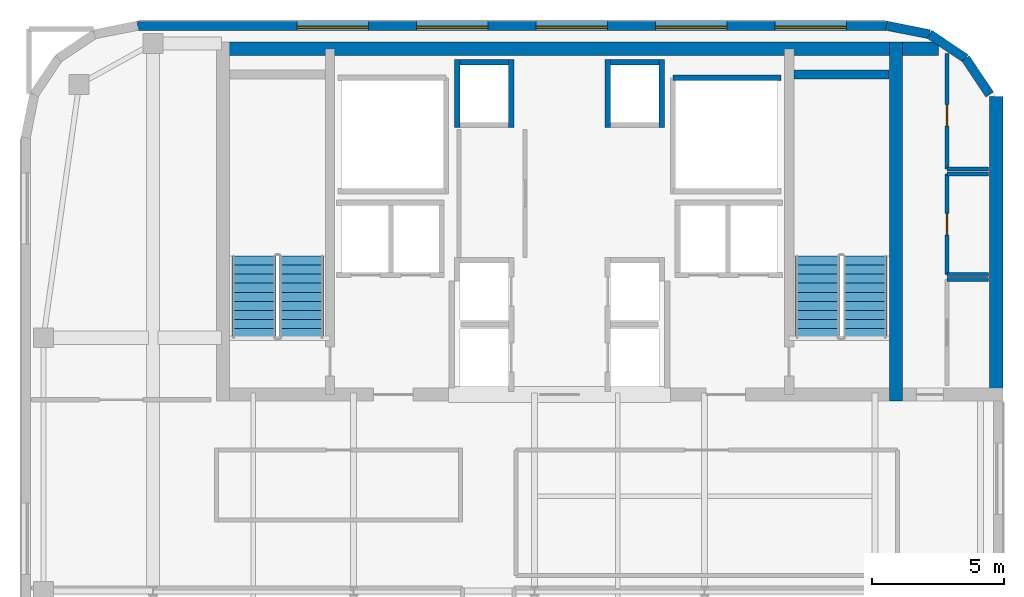
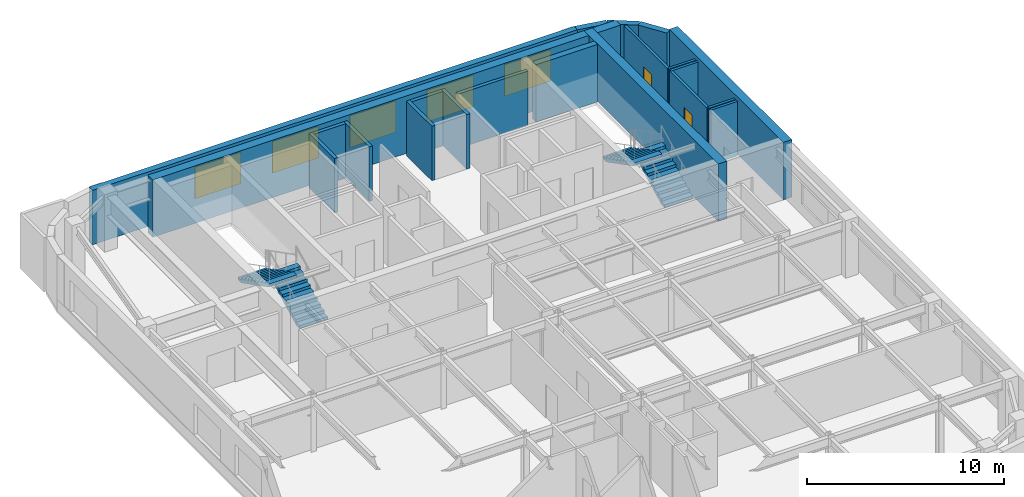
# One storey, part 6 of 10: 22 walls, 5 windows, 4 stair flights, 2 doors, 7 openings, 2 elements without a shape of their own.
"""IFC4 building model written with IfcOpenShell, lengths in metres."""

import ifcopenshell
import ifcopenshell.guid

model = None  # the IFC model being written
_history = None  # IfcOwnerHistory: only IFC2X3 demands one
_inside = {}  # id of a spatial element -> (the spatial element, [elements in it])
_under = {}  # id of a project, library or spatial element -> (it, [spatial elements below it])
_declared = {}  # id of a project -> (the project, [libraries it declares])
_typed = {}  # id of a type object -> (the type object, [elements of that type])
_made_of = {}  # id of a material, layer set ... -> (it, [elements and type objects made of it])


def new_model(schema):
    """Start an empty IFC model of exactly this schema.

    Asked for "IFC4X3", IfcOpenShell would pick the latest addendum, in which some entities
    have other attributes; the version numbers below select the first issue.
    IFC2X3 requires an IfcOwnerHistory on every rooted entity: one is made here for all.
    """
    global model, _history
    if schema == "IFC4X3":
        model = ifcopenshell.file(schema_version=(4, 3, 0, 0))
    else:
        model = ifcopenshell.file(schema=schema)
    _inside.clear()
    _under.clear()
    _declared.clear()
    _typed.clear()
    _made_of.clear()
    _history = None
    if model.schema == "IFC2X3":
        org = make("IfcOrganization", Name="unknown")
        user = make(
            "IfcPersonAndOrganization",
            ThePerson=make("IfcPerson", FamilyName="unknown"),
            TheOrganization=org,
        )
        app = make(
            "IfcApplication",
            ApplicationDeveloper=org,
            Version="unknown",
            ApplicationFullName="unknown",
            ApplicationIdentifier="unknown",
        )
        _history = make(
            "IfcOwnerHistory",
            OwningUser=user,
            OwningApplication=app,
            ChangeAction="ADDED",
            CreationDate=0,
        )
    return model


def make(cls, **values):
    """One entity of the class cls with the attributes given. An attribute that is None is left unset."""
    return model.create_entity(
        cls, **{name: value for name, value in values.items() if value is not None}
    )


def rooted(cls, **values):
    """An entity with a GlobalId (a new one), such as an element, a storey or a relation."""
    return make(cls, GlobalId=ifcopenshell.guid.new(), OwnerHistory=_history, **values)


def si_unit(unit_type, name, prefix=None):
    """IfcSIUnit, for example si_unit("LENGTHUNIT", "METRE", prefix="MILLI")."""
    return make("IfcSIUnit", UnitType=unit_type, Prefix=prefix, Name=name)


def assignment(units):
    """IfcUnitAssignment: the units of a project."""
    return None if units is None else make("IfcUnitAssignment", Units=units)


def point(xyz):
    """IfcCartesianPoint."""
    return None if xyz is None else make("IfcCartesianPoint", Coordinates=xyz)


def direction(xyz):
    """IfcDirection."""
    return None if xyz is None else make("IfcDirection", DirectionRatios=xyz)


def frame(location, z_axis=None, x_axis=None):
    """IfcAxis2Placement3D, a coordinate frame: its origin and axes. An axis left out is left unset."""
    return make(
        "IfcAxis2Placement3D",
        Location=point(location),
        Axis=direction(z_axis),
        RefDirection=direction(x_axis),
    )


def frame_2d(location, x_axis=None):
    """IfcAxis2Placement2D, a coordinate frame in the plane: its origin and x axis."""
    return make(
        "IfcAxis2Placement2D", Location=point(location), RefDirection=direction(x_axis)
    )


def origin():
    """The frame at (0, 0, 0) with its axes left unset."""
    return frame((0.0, 0.0, 0.0))


def place(relative_to, where):
    """IfcLocalPlacement: puts the frame where relative to a parent placement (None: the world)."""
    return make(
        "IfcLocalPlacement", PlacementRelTo=relative_to, RelativePlacement=where
    )


def context(
    kind, dimensions, precision=None, world=None, true_north=None, identifier=None
):
    """IfcGeometricRepresentationContext, for example the 3D "Model" context."""
    return make(
        "IfcGeometricRepresentationContext",
        ContextIdentifier=identifier,
        ContextType=kind,
        CoordinateSpaceDimension=dimensions,
        Precision=precision,
        WorldCoordinateSystem=world,
        TrueNorth=true_north,
    )


def subcontext(parent, identifier, kind, view, scale=None):
    """IfcGeometricRepresentationSubContext, for example "Body" below "Model"."""
    return make(
        "IfcGeometricRepresentationSubContext",
        ContextIdentifier=identifier,
        ContextType=kind,
        ParentContext=parent,
        TargetScale=scale,
        TargetView=view,
    )


def project(units=None, contexts=None):
    """IfcProject with its units and contexts."""
    return rooted(
        "IfcProject",
        Name="project",
        RepresentationContexts=contexts,
        UnitsInContext=assignment(units),
    )


def spatial(cls, under=None, at=None, **own):
    """A site, building, storey or space (cls), placed at a placement, below another one or the project."""
    s = rooted(cls, ObjectPlacement=at, **own)
    if under is not None:
        _under.setdefault(under.id(), (under, []))[1].append(s)
    return s


def polyline(points):
    """IfcPolyline through the points."""
    return make("IfcPolyline", Points=[point(p) for p in points])


def profile(cls, at=None, kind="AREA", **sizes):
    """A parametric profile (cls). Its sizes go by their IFC names, for example OverallWidth=200.0."""
    return make(cls, ProfileType=kind, Position=at, **sizes)


def rectangle(**sizes):
    """IfcRectangleProfileDef."""
    return profile("IfcRectangleProfileDef", **sizes)


def outline(outer, holes=None, kind="AREA"):
    """IfcArbitraryClosedProfileDef: a profile drawn as a closed curve; with holes, ...WithVoids."""
    if holes is None:
        return make("IfcArbitraryClosedProfileDef", ProfileType=kind, OuterCurve=outer)
    return make(
        "IfcArbitraryProfileDefWithVoids",
        ProfileType=kind,
        OuterCurve=outer,
        InnerCurves=holes,
    )


def extrude(swept, where, along, depth):
    """IfcExtrudedAreaSolid: the profile swept, set in the frame where, extruded along a direction by depth."""
    return make(
        "IfcExtrudedAreaSolid",
        SweptArea=swept,
        Position=where,
        ExtrudedDirection=direction(along),
        Depth=depth,
    )


def shape(context_of_items, identifier, shape_type, items):
    """IfcShapeRepresentation: the items that make up one representation, for example the "Body"."""
    return make(
        "IfcShapeRepresentation",
        ContextOfItems=context_of_items,
        RepresentationIdentifier=identifier,
        RepresentationType=shape_type,
        Items=items,
    )


def source(mapping_origin, context_of_items, identifier, shape_type, items):
    """IfcRepresentationMap: a shape defined once, which mapped items show again and again."""
    return make(
        "IfcRepresentationMap",
        MappingOrigin=mapping_origin,
        MappedRepresentation=shape(context_of_items, identifier, shape_type, items),
    )


def transform(
    local_origin,
    x_axis=None,
    y_axis=None,
    z_axis=None,
    scale=None,
    scale2=None,
    scale3=None,
    uniform=True,
):
    """IfcCartesianTransformationOperator3D, or its non-uniform kind. x_axis, y_axis, z_axis: its Axis1, 2, 3."""
    if uniform:
        return make(
            "IfcCartesianTransformationOperator3D",
            Axis1=direction(x_axis),
            Axis2=direction(y_axis),
            LocalOrigin=point(local_origin),
            Scale=scale,
            Axis3=direction(z_axis),
        )
    return make(
        "IfcCartesianTransformationOperator3DnonUniform",
        Axis1=direction(x_axis),
        Axis2=direction(y_axis),
        LocalOrigin=point(local_origin),
        Scale=scale,
        Axis3=direction(z_axis),
        Scale2=scale2,
        Scale3=scale3,
    )


def mapped(mapping_source, mapping_target):
    """IfcMappedItem: shows the shape of a source again, moved by a transform."""
    return make(
        "IfcMappedItem", MappingSource=mapping_source, MappingTarget=mapping_target
    )


def material(Name=None, Category=None):
    """IfcMaterial."""
    return make("IfcMaterial", Name=Name, Category=Category)


def layer(
    of_material, thickness, ventilated=None, Name=None, Category=None, Priority=None
):
    """IfcMaterialLayer: one layer of a wall or slab, of a material (None: an air gap)."""
    return make(
        "IfcMaterialLayer",
        Material=of_material,
        LayerThickness=thickness,
        IsVentilated=ventilated,
        Name=Name,
        Category=Category,
        Priority=Priority,
    )


def layer_set(layers, Name=None):
    """IfcMaterialLayerSet."""
    return make("IfcMaterialLayerSet", MaterialLayers=layers, LayerSetName=Name)


def made_of(thing, what):
    """Note that an element or type object is made of a material, layer set ...; save() writes the relation."""
    if what is not None:
        _made_of.setdefault(what.id(), (what, []))[1].append(thing)
    return thing


def type_object(cls, material=None, **own):
    """A type object (cls), such as IfcWallType, which elements share."""
    return made_of(rooted(cls, **own), material)


def type_shapes(of_type, sources):
    """Give a type object the sources (RepresentationMaps) that its elements show as mapped items."""
    of_type.RepresentationMaps = sources


def element(
    cls,
    number,
    at=None,
    inside=None,
    cuts=None,
    type_object=None,
    material=None,
    context=None,
    identifier="Body",
    shape_type=None,
    held_by="IfcProductDefinitionShape",
    body=None,
    shapes=None,
    **own,
):
    """One element of the class cls, such as IfcWall. Its Tag is "e" and its number.

    at: its placement. inside: the storey or other place that contains it. cuts: it is an
    opening in that element (IfcRelVoidsElement). A single representation is given by context,
    identifier, shape_type and body (its items); several are given by shapes. held_by: the class
    of the entity that holds the representations. save() writes the other relations.
    """
    e = rooted(cls, Tag="e%d" % number, ObjectPlacement=at, **own)
    if body is not None:
        shapes = [shape(context, identifier, shape_type, body)]
    if shapes is not None:
        e.Representation = make(held_by, Representations=shapes)
    if inside is not None:
        _inside.setdefault(inside.id(), (inside, []))[1].append(e)
    if cuts is not None:
        rooted(
            "IfcRelVoidsElement", RelatingBuildingElement=cuts, RelatedOpeningElement=e
        )
    if type_object is not None:
        _typed.setdefault(type_object.id(), (type_object, []))[1].append(e)
    return made_of(e, material)


def fill(opening, filler):
    """IfcRelFillsElement: the door or window that sits in an opening."""
    return rooted(
        "IfcRelFillsElement",
        RelatingOpeningElement=opening,
        RelatedBuildingElement=filler,
    )


def aggregate(whole, parts):
    """IfcRelAggregates: a whole, such as a stair, and the parts it consists of."""
    return rooted("IfcRelAggregates", RelatingObject=whole, RelatedObjects=parts)


def save(model, path):
    """Write the relations noted so far, then the file.

    IfcRelAggregates (storeys below a building ...), IfcRelContainedInSpatialStructure (elements
    in a storey), IfcRelDefinesByType, IfcRelAssociatesMaterial and IfcRelDeclares: one each for
    every whole, place, type object, material and project.
    """
    for whole, parts in _under.values():
        aggregate(whole, parts)
    for where, things in _inside.values():
        rooted(
            "IfcRelContainedInSpatialStructure",
            RelatedElements=things,
            RelatingStructure=where,
        )
    for kind, things in _typed.values():
        rooted("IfcRelDefinesByType", RelatedObjects=things, RelatingType=kind)
    for what, things in _made_of.values():
        rooted("IfcRelAssociatesMaterial", RelatedObjects=things, RelatingMaterial=what)
    for by, libraries in _declared.values():
        rooted("IfcRelDeclares", RelatingContext=by, RelatedDefinitions=libraries)
    model.write(path)


model = new_model("IFC4")

# Units and contexts
model_context = context("Model", 3, precision=1e-05, world=origin(), true_north=direction((0.0, 1.0)))
body_context = subcontext(model_context, "Body", "Model", "MODEL_VIEW")
ifc_project = project(units=[si_unit("LENGTHUNIT", "METRE"), si_unit("AREAUNIT", "SQUARE_METRE"), si_unit("VOLUMEUNIT", "CUBIC_METRE"), si_unit("PLANEANGLEUNIT", "RADIAN"), si_unit("MASSUNIT", "GRAM", prefix="KILO")], contexts=[model_context])

# Site, building, storey
site_placement = place(None, origin())
site = spatial("IfcSite", under=ifc_project, at=site_placement, CompositionType="ELEMENT")
building_placement = place(site_placement, origin())
building = spatial("IfcBuilding", under=site, at=building_placement, Name="Tolvann Quenvar Hotel", CompositionType="ELEMENT")
storey_placement = place(building_placement, frame((0.0, 0.0, 220.35009765625)))
storey = spatial("IfcBuildingStorey", under=building, at=storey_placement, Name="L58", CompositionType="ELEMENT", Elevation=220.35009765625)

# Walls
ifc_material_1 = material(Name="Concrete N50 (50 MPa)", Category="concrete")
ifc_layer_1 = layer(ifc_material_1, 0.5)
ifc_layer_set_1 = layer_set([ifc_layer_1], Name="Concrete N50 (50 MPa)")
wall_type_1 = type_object("IfcWallType", Name="WALL_CORE_500", PredefinedType="SHEAR", material=ifc_layer_set_1)
wall_1_placement = place(storey_placement, frame((10.0, 44.949951171875, 0.0), z_axis=(0.0, 0.0, 1.0), x_axis=(1.0, 0.0, 0.0)))
element("IfcWall", 1, at=wall_1_placement, inside=storey, type_object=wall_type_1, Name="Rear Core N Shear Wall (L58)", PredefinedType="SHEAR", context=body_context, shape_type="SweptSolid", body=[
    extrude(rectangle(XDim=26.0, YDim=0.5, at=frame_2d((13.0, 0.0))), origin(), (0.0, 0.0, 1.0), 3.5498046875),
])
wall_2_placement = place(storey_placement, frame((35.75, 31.60009765625, 0.0), z_axis=(0.0, 0.0, 1.0), x_axis=(0.0, 1.0, 0.0)))
element("IfcWall", 2, at=wall_2_placement, inside=storey, type_object=wall_type_1, Name="Rear Core E Shear Wall (L58)", PredefinedType="SHEAR", context=body_context, shape_type="SweptSolid", body=[
    extrude(rectangle(XDim=13.599853515625, YDim=0.5, at=frame_2d((6.7998046875, 0.0))), origin(), (0.0, 0.0, 1.0), 3.5498046875),
])
wall_3_placement = place(storey_placement, frame((36.0, 44.949951171875, 0.0), z_axis=(0.0, 0.0, 1.0), x_axis=(1.0, 0.0, 0.0)))
element("IfcWall", 3, at=wall_3_placement, inside=storey, type_object=wall_type_1, Name="Core East Annex Shear Wall ANN-N (L58)", PredefinedType="SHEAR", context=body_context, shape_type="SweptSolid", body=[
    extrude(rectangle(XDim=1.35009765625, YDim=0.5, at=frame_2d((0.675048828125, 0.0))), origin(), (0.0, 0.0, 1.0), 3.5498046875),
])
wall_4_placement = place(storey_placement, frame((39.550048828125, 31.60009765625, 0.0), z_axis=(0.0, 0.0, 1.0), x_axis=(0.0, 1.0, 0.0)))
element("IfcWall", 4, at=wall_4_placement, inside=storey, type_object=wall_type_1, Name="Core East Annex Shear Wall ANN-E (L58)", PredefinedType="SHEAR", context=body_context, shape_type="SweptSolid", body=[
    extrude(rectangle(XDim=11.5498046875, YDim=0.5, at=frame_2d((5.77490234375, 0.0))), origin(), (0.0, 0.0, 1.0), 3.5498046875),
])
ifc_material_2 = material(Name="Concrete S65 (65 MPa)", Category="concrete")
ifc_layer_2 = layer(ifc_material_2, 0.35009765625)
ifc_layer_set_2 = layer_set([ifc_layer_2], Name="Concrete S65 (65 MPa)")
wall_type_2 = type_object("IfcWallType", Name="WALL_CORE_INT_350", PredefinedType="SHEAR", material=ifc_layer_set_2)
wall_5_placement = place(storey_placement, frame((31.8798828125, 43.97509765625, 0.0), z_axis=(0.0, 0.0, 1.0), x_axis=(1.0, 0.0, 0.0)))
element("IfcWall", 5, at=wall_5_placement, inside=storey, type_object=wall_type_2, Name="Core Stair North Closing Shear Wall STC2-N (L58)", PredefinedType="SHEAR", context=body_context, shape_type="SweptSolid", body=[
    extrude(rectangle(XDim=3.60009765625, YDim=0.35009765625, at=frame_2d((1.800048828125, 0.0))), origin(), (0.0, 0.0, 1.0), 3.5498046875),
])
ifc_material_3 = material(Name="Kiln-fired red and buff architectural clay brickwork and terracotta masonry", Category="masonry")
ifc_layer_3 = layer(ifc_material_3, 0.35009765625)
ifc_layer_set_3 = layer_set([ifc_layer_3], Name="Kiln-fired red and buff architectural clay brickwork and terracotta masonry")
wall_type_3 = type_object("IfcWallType", Name="WALL_EXT_BRICK_350", PredefinedType="SOLIDWALL", material=ifc_layer_set_3)
for number, where, z_axis, x_axis, name in (
    (6, (39.30029296875, 43.215576171875, 0.0), (0.0, 0.0, 1.0), (-0.555623290322, 0.831434158098, 0.0), "Exterior Chicago Brick Wall L58-E11"),
    (7, (38.385009765625, 44.585205078125, 0.0), (0.0, 0.0, 1.0), (-0.831502623162, 0.555520825599, 0.0), "Exterior Chicago Brick Wall L58-E12"),
):
    element("IfcWall", number, at=place(storey_placement, frame(where, z_axis=z_axis, x_axis=x_axis)), inside=storey, type_object=wall_type_3, Name=name, PredefinedType="SOLIDWALL", context=body_context, shape_type="SweptSolid", body=[
        extrude(rectangle(XDim=1.647216796875, YDim=0.35009765625, at=frame_2d((0.82373046875, 0.0))), origin(), (0.0, 0.0, 1.0), 3.369873046875),
    ])
wall_6_placement = place(storey_placement, frame((37.015380859375, 45.500244140625, 0.0), z_axis=(0.0, 0.0, 1.0), x_axis=(-0.980788844421, 0.195072403631, 0.0)))
element("IfcWall", 8, at=wall_6_placement, inside=storey, type_object=wall_type_3, Name="Exterior Chicago Brick Wall L58-E13", PredefinedType="SOLIDWALL", context=body_context, shape_type="SweptSolid", body=[
    extrude(rectangle(XDim=1.66455078125, YDim=0.35009765625, at=frame_2d((0.832275390625, 0.0))), origin(), (0.0, 0.0, 1.0), 3.369873046875),
])

# Wall, openings, windows
wall_7_placement = place(storey_placement, frame((35.3828125, 45.824951171875, 0.0), z_axis=(0.0, 0.0, 1.0), x_axis=(-1.0, 0.0, 0.0)))
wall_7 = element("IfcWall", 9, at=wall_7_placement, inside=storey, type_object=wall_type_3, Name="Exterior Chicago Brick Wall L58-E14", PredefinedType="SOLIDWALL", context=body_context, shape_type="SweptSolid", body=[
    extrude(rectangle(XDim=28.36572265625, YDim=0.35009765625, at=frame_2d((14.182861328125, 0.0))), origin(), (0.0, 0.0, 1.0), 3.369873046875),
])
opening_1_placement = place(wall_7_placement, frame((1.513916015625, 0.0, 0.679931640625)))
opening_1 = element("IfcOpeningElement", 10, at=opening_1_placement, cuts=wall_7, Name="Opening W-04", PredefinedType="OPENING", context=body_context, shape_type="SweptSolid", body=[
    extrude(rectangle(XDim=2.699951171875, YDim=1.949951171875, at=frame_2d((1.35009765625, 0.97509765625))), frame((0.0, 0.18505859375, 0.0), z_axis=(0.0, -1.0, 0.0), x_axis=(1.0, 0.0, 0.0)), (0.0, 0.0, 1.0), 0.3701171875),
])
opening_2_placement = place(wall_7_placement, frame((6.041015625, 0.0, 0.679931640625)))
opening_2 = element("IfcOpeningElement", 11, at=opening_2_placement, cuts=wall_7, Name="Opening W-04", PredefinedType="OPENING", context=body_context, shape_type="SweptSolid", body=[
    extrude(rectangle(XDim=2.699951171875, YDim=1.949951171875, at=frame_2d((1.35009765625, 0.97509765625))), frame((0.0, 0.18505859375, 0.0), z_axis=(0.0, -1.0, 0.0), x_axis=(1.0, 0.0, 0.0)), (0.0, 0.0, 1.0), 0.3701171875),
])
opening_3_placement = place(wall_7_placement, frame((10.569091796875, 0.0, 0.679931640625)))
opening_3 = element("IfcOpeningElement", 12, at=opening_3_placement, cuts=wall_7, Name="Opening W-04", PredefinedType="OPENING", context=body_context, shape_type="SweptSolid", body=[
    extrude(rectangle(XDim=2.699951171875, YDim=1.949951171875, at=frame_2d((1.35009765625, 0.97509765625))), frame((0.0, 0.18505859375, 0.0), z_axis=(0.0, -1.0, 0.0), x_axis=(1.0, 0.0, 0.0)), (0.0, 0.0, 1.0), 0.3701171875),
])
opening_4_placement = place(wall_7_placement, frame((15.096923828125, 0.0, 0.679931640625)))
opening_4 = element("IfcOpeningElement", 13, at=opening_4_placement, cuts=wall_7, Name="Opening W-04", PredefinedType="OPENING", context=body_context, shape_type="SweptSolid", body=[
    extrude(rectangle(XDim=2.699951171875, YDim=1.949951171875, at=frame_2d((1.35009765625, 0.97509765625))), frame((0.0, 0.18505859375, 0.0), z_axis=(0.0, -1.0, 0.0), x_axis=(1.0, 0.0, 0.0)), (0.0, 0.0, 1.0), 0.3701171875),
])
opening_5_placement = place(wall_7_placement, frame((19.6240234375, 0.0, 0.679931640625)))
opening_5 = element("IfcOpeningElement", 14, at=opening_5_placement, cuts=wall_7, Name="Opening W-04", PredefinedType="OPENING", context=body_context, shape_type="SweptSolid", body=[
    extrude(rectangle(XDim=2.699951171875, YDim=1.949951171875, at=frame_2d((1.35009765625, 0.97509765625))), frame((0.0, 0.18505859375, 0.0), z_axis=(0.0, -1.0, 0.0), x_axis=(1.0, 0.0, 0.0)), (0.0, 0.0, 1.0), 0.3701171875),
])
ifc_material_4 = material(Name="Thermally broken bronze-anodised aluminium frame with double low-E glazing", Category="aluminium")
window_type = type_object("IfcWindowType", Name="WIN_STE_2700x2150", PartitioningType="TRIPLE_PANEL_HORIZONTAL", PredefinedType="WINDOW", material=ifc_material_4)
shared_shape_1 = source(origin(), body_context, "Body", "SweptSolid", [
    extrude(rectangle(XDim=2.699951171875, YDim=1.949951171875, at=frame_2d((1.35009765625, 0.97509765625))), frame((0.0, 0.090087890625, 0.0), z_axis=(0.0, -1.0, 0.0), x_axis=(1.0, 0.0, 0.0)), (0.0, 0.0, 1.0), 0.06005859375),
])
type_shapes(window_type, [shared_shape_1])
window_1_placement = place(opening_1_placement, origin())
window_1 = element("IfcWindow", 15, at=window_1_placement, inside=storey, type_object=window_type, Name="Chicago Window W-04 (EW-L58-E14-W01)", OverallHeight=1.949951171875, OverallWidth=2.699951171875, PartitioningType="TRIPLE_PANEL_HORIZONTAL", PredefinedType="WINDOW", context=body_context, shape_type="MappedRepresentation", body=[
    mapped(shared_shape_1, transform((0.0, 0.0, 0.0), x_axis=(1.0, 0.0, 0.0), y_axis=(0.0, 1.0, 0.0), z_axis=(0.0, 0.0, 1.0), scale=1.0)),
])
fill(opening_1, window_1)
window_2_placement = place(opening_2_placement, origin())
window_2 = element("IfcWindow", 16, at=window_2_placement, inside=storey, type_object=window_type, Name="Chicago Window W-04 (EW-L58-E14-W02)", OverallHeight=1.949951171875, OverallWidth=2.699951171875, PartitioningType="TRIPLE_PANEL_HORIZONTAL", PredefinedType="WINDOW", context=body_context, shape_type="MappedRepresentation", body=[
    mapped(shared_shape_1, transform((0.0, 0.0, 0.0), x_axis=(1.0, 0.0, 0.0), y_axis=(0.0, 1.0, 0.0), z_axis=(0.0, 0.0, 1.0), scale=1.0)),
])
fill(opening_2, window_2)
window_3_placement = place(opening_3_placement, origin())
window_3 = element("IfcWindow", 17, at=window_3_placement, inside=storey, type_object=window_type, Name="Chicago Window W-04 (EW-L58-E14-W03)", OverallHeight=1.949951171875, OverallWidth=2.699951171875, PartitioningType="TRIPLE_PANEL_HORIZONTAL", PredefinedType="WINDOW", context=body_context, shape_type="MappedRepresentation", body=[
    mapped(shared_shape_1, transform((0.0, 0.0, 0.0), x_axis=(1.0, 0.0, 0.0), y_axis=(0.0, 1.0, 0.0), z_axis=(0.0, 0.0, 1.0), scale=1.0)),
])
fill(opening_3, window_3)
window_4_placement = place(opening_4_placement, origin())
window_4 = element("IfcWindow", 18, at=window_4_placement, inside=storey, type_object=window_type, Name="Chicago Window W-04 (EW-L58-E14-W04)", OverallHeight=1.949951171875, OverallWidth=2.699951171875, PartitioningType="TRIPLE_PANEL_HORIZONTAL", PredefinedType="WINDOW", context=body_context, shape_type="MappedRepresentation", body=[
    mapped(shared_shape_1, transform((0.0, 0.0, 0.0), x_axis=(1.0, 0.0, 0.0), y_axis=(0.0, 1.0, 0.0), z_axis=(0.0, 0.0, 1.0), scale=1.0)),
])
fill(opening_4, window_4)
window_5_placement = place(opening_5_placement, origin())
window_5 = element("IfcWindow", 19, at=window_5_placement, inside=storey, type_object=window_type, Name="Chicago Window W-04 (EW-L58-E14-W05)", OverallHeight=1.949951171875, OverallWidth=2.699951171875, PartitioningType="TRIPLE_PANEL_HORIZONTAL", PredefinedType="WINDOW", context=body_context, shape_type="MappedRepresentation", body=[
    mapped(shared_shape_1, transform((0.0, 0.0, 0.0), x_axis=(1.0, 0.0, 0.0), y_axis=(0.0, 1.0, 0.0), z_axis=(0.0, 0.0, 1.0), scale=1.0)),
])
fill(opening_5, window_5)

# Walls
ifc_material_5 = material(Name="Acoustic twin-stud fire-rated gypsum plasterboard partition")
ifc_layer_4 = layer(ifc_material_5, 0.14990234375)
ifc_layer_set_4 = layer_set([ifc_layer_4], Name="Acoustic twin-stud fire-rated gypsum plasterboard partition")
wall_type_4 = type_object("IfcWallType", Name="WALL_PART_SUITE_150", PredefinedType="PARTITIONING", material=ifc_layer_set_4)
for number, where, z_axis, x_axis, name in (
    (20, (37.679931640625, 36.199951171875, 0.0), (0.0, 0.0, 1.0), (1.0, 0.0, 0.0), "Interior Partition PT-SPC-L58-RECPL-1-N"),
    (21, (37.679931640625, 36.39990234375, 0.0), (0.0, 0.0, 1.0), (1.0, 0.0, 0.0), "Interior Partition PT-SPC-L58-CSE-1-S"),
    (22, (37.679931640625, 40.199951171875, 0.0), (0.0, 0.0, 1.0), (1.0, 0.0, 0.0), "Interior Partition PT-SPC-L58-CSE-1-N"),
):
    element("IfcWall", number, at=place(storey_placement, frame(where, z_axis=z_axis, x_axis=x_axis)), inside=storey, type_object=wall_type_4, Name=name, PredefinedType="PARTITIONING", context=body_context, shape_type="SweptSolid", body=[
        extrude(rectangle(XDim=1.565185546875, YDim=0.14990234375, at=frame_2d((0.78271484375, 0.0))), origin(), (0.0, 0.0, 1.0), 3.369873046875),
    ])

# Wall, opening, door
wall_8_placement = place(storey_placement, frame((37.679931640625, 36.39990234375, 0.0), z_axis=(0.0, 0.0, 1.0), x_axis=(0.0, 1.0, 0.0)))
wall_8 = element("IfcWall", 23, at=wall_8_placement, inside=storey, type_object=wall_type_4, Name="Interior Partition PT-SPC-L58-CSE-1-W", PredefinedType="PARTITIONING", context=body_context, shape_type="SweptSolid", body=[
    extrude(rectangle(XDim=3.800048828125, YDim=0.14990234375, at=frame_2d((1.89990234375, 0.0))), origin(), (0.0, 0.0, 1.0), 3.369873046875),
])
opening_6_placement = place(wall_8_placement, frame((1.489990234375, 0.0, 0.0)))
opening_6 = element("IfcOpeningElement", 24, at=opening_6_placement, cuts=wall_8, Name="Opening HD-02", PredefinedType="OPENING", context=body_context, shape_type="SweptSolid", body=[
    extrude(rectangle(XDim=0.820068359375, YDim=2.010009765625, at=frame_2d((0.41015625, 1.0048828125))), frame((0.0, 0.0849609375, 0.0), z_axis=(0.0, -1.0, 0.0), x_axis=(1.0, 0.0, 0.0)), (0.0, 0.0, 1.0), 0.169921875),
])
ifc_material_6 = material(Name="Pressed galvanised steel fire-rated door set", Category="steel")
door_type = type_object("IfcDoorType", Name="DOOR_STORE_820", OperationType="NOTDEFINED", PredefinedType="DOOR", material=ifc_material_6)
shared_shape_2 = source(origin(), body_context, "Body", "SweptSolid", [
    extrude(rectangle(XDim=0.820068359375, YDim=2.010009765625, at=frame_2d((0.41015625, 1.0048828125))), frame((0.0, 0.02490234375, 0.0), z_axis=(0.0, -1.0, 0.0), x_axis=(1.0, 0.0, 0.0)), (0.0, 0.0, 1.0), 0.050048828125),
])
type_shapes(door_type, [shared_shape_2])
door_1_placement = place(opening_6_placement, origin())
door_1 = element("IfcDoor", 25, at=door_1_placement, inside=storey, type_object=door_type, Name="Interior Door DOOR-SPC-L58-CSE-1", OperationType="SINGLE_SWING_LEFT", OverallHeight=2.010009765625, OverallWidth=0.820068359375, PredefinedType="DOOR", context=body_context, shape_type="MappedRepresentation", body=[
    mapped(shared_shape_2, transform((0.0, 0.0, 0.0), x_axis=(1.0, 0.0, 0.0), y_axis=(0.0, 1.0, 0.0), z_axis=(0.0, 0.0, 1.0), scale=1.0)),
])
fill(opening_6, door_1)

# Wall
wall_9_placement = place(storey_placement, frame((37.679931640625, 40.39990234375, 0.0), z_axis=(0.0, 0.0, 1.0), x_axis=(1.0, 0.0, 0.0)))
element("IfcWall", 26, at=wall_9_placement, inside=storey, type_object=wall_type_4, Name="Interior Partition PT-SPC-L58-CSE-2-S", PredefinedType="PARTITIONING", context=body_context, shape_type="SweptSolid", body=[
    extrude(rectangle(XDim=1.565185546875, YDim=0.14990234375, at=frame_2d((0.78271484375, 0.0))), origin(), (0.0, 0.0, 1.0), 3.369873046875),
])

# Wall, opening, door
wall_10_placement = place(storey_placement, frame((37.679931640625, 40.39990234375, 0.0), z_axis=(0.0, 0.0, 1.0), x_axis=(0.0, 1.0, 0.0)))
wall_10 = element("IfcWall", 27, at=wall_10_placement, inside=storey, type_object=wall_type_4, Name="Interior Partition PT-SPC-L58-CSE-2-W", PredefinedType="PARTITIONING", context=body_context, shape_type="SweptSolid", body=[
    extrude(rectangle(XDim=4.380126953125, YDim=0.14990234375, at=frame_2d((2.18994140625, 0.0))), origin(), (0.0, 0.0, 1.0), 3.369873046875),
])
opening_7_placement = place(wall_10_placement, frame((1.614990234375, 0.0, 0.0)))
opening_7 = element("IfcOpeningElement", 28, at=opening_7_placement, cuts=wall_10, Name="Opening HD-02", PredefinedType="OPENING", context=body_context, shape_type="SweptSolid", body=[
    extrude(rectangle(XDim=0.820068359375, YDim=2.010009765625, at=frame_2d((0.41015625, 1.0048828125))), frame((0.0, 0.0849609375, 0.0), z_axis=(0.0, -1.0, 0.0), x_axis=(1.0, 0.0, 0.0)), (0.0, 0.0, 1.0), 0.169921875),
])
door_2_placement = place(opening_7_placement, origin())
door_2 = element("IfcDoor", 29, at=door_2_placement, inside=storey, type_object=door_type, Name="Interior Door DOOR-SPC-L58-CSE-2", OperationType="SINGLE_SWING_RIGHT", OverallHeight=2.010009765625, OverallWidth=0.820068359375, PredefinedType="DOOR", context=body_context, shape_type="MappedRepresentation", body=[
    mapped(shared_shape_2, transform((0.0, 0.0, 0.0), x_axis=(1.0, 0.0, 0.0), y_axis=(0.0, 1.0, 0.0), z_axis=(0.0, 0.0, 1.0), scale=1.0)),
])
fill(opening_7, door_2)

# Walls
ifc_material_7 = material(Name="Concrete N40 (40 MPa)", Category="concrete")
ifc_layer_5 = layer(ifc_material_7, 0.199951171875)
ifc_layer_set_5 = layer_set([ifc_layer_5], Name="Concrete N40 (40 MPa)")
wall_type_5 = type_object("IfcWallType", Name="WALL_SHAFT_200", PredefinedType="SOLIDWALL", material=ifc_layer_set_5)
wall_11_placement = place(storey_placement, frame((27.300048828125, 43.85009765625, 0.0), z_axis=(0.0, 0.0, 1.0), x_axis=(1.0, 0.0, 0.0)))
element("IfcWall", 30, at=wall_11_placement, inside=storey, type_object=wall_type_5, Name="Service Riser E Shaft Wall N (L58)", PredefinedType="SOLIDWALL", context=body_context, shape_type="SweptSolid", body=[
    extrude(rectangle(XDim=4.099853515625, YDim=0.199951171875, at=frame_2d((2.0498046875, 0.0))), origin(), (0.0, 0.0, 1.0), 3.369873046875),
])
for number, where, z_axis, x_axis, name in (
    (31, (21.169921875, 41.9599609375, 0.0), (0.0, 0.0, 1.0), (0.0, 1.0, 0.0), "Lift Bank E21.1C2 Hoistway Front Wall (L58)"),
    (32, (19.1298828125, 41.9599609375, 0.0), (0.0, 0.0, 1.0), (0.0, 1.0, 0.0), "Lift Bank E21.1C2 Hoistway Rear Wall (L58)"),
):
    element("IfcWall", number, at=place(storey_placement, frame(where, z_axis=z_axis, x_axis=x_axis)), inside=storey, type_object=wall_type_5, Name=name, PredefinedType="SOLIDWALL", context=body_context, shape_type="SweptSolid", body=[
        extrude(rectangle(XDim=2.580078125, YDim=0.199951171875, at=frame_2d((1.2900390625, 0.0))), origin(), (0.0, 0.0, 1.0), 3.369873046875),
    ])
wall_12_placement = place(storey_placement, frame((19.22998046875, 44.43994140625, 0.0), z_axis=(0.0, 0.0, 1.0), x_axis=(1.0, 0.0, 0.0)))
element("IfcWall", 33, at=wall_12_placement, inside=storey, type_object=wall_type_5, Name="Lift Bank E21.1C2 Hoistway Cheek Wall 2 (L58)", PredefinedType="SOLIDWALL", context=body_context, shape_type="SweptSolid", body=[
    extrude(rectangle(XDim=1.840087890625, YDim=0.199951171875, at=frame_2d((0.919921875, 0.0))), origin(), (0.0, 0.0, 1.0), 3.369873046875),
])
for number, where, z_axis, x_axis, name in (
    (34, (24.830078125, 41.9599609375, 0.0), (0.0, 0.0, 1.0), (0.0, 1.0, 0.0), "Lift Bank W24.9C2 Hoistway Front Wall (L58)"),
    (35, (26.8701171875, 41.9599609375, 0.0), (0.0, 0.0, 1.0), (0.0, 1.0, 0.0), "Lift Bank W24.9C2 Hoistway Rear Wall (L58)"),
):
    element("IfcWall", number, at=place(storey_placement, frame(where, z_axis=z_axis, x_axis=x_axis)), inside=storey, type_object=wall_type_5, Name=name, PredefinedType="SOLIDWALL", context=body_context, shape_type="SweptSolid", body=[
        extrude(rectangle(XDim=2.580078125, YDim=0.199951171875, at=frame_2d((1.2900390625, 0.0))), origin(), (0.0, 0.0, 1.0), 3.369873046875),
    ])
wall_13_placement = place(storey_placement, frame((24.929931640625, 44.43994140625, 0.0), z_axis=(0.0, 0.0, 1.0), x_axis=(1.0, 0.0, 0.0)))
element("IfcWall", 36, at=wall_13_placement, inside=storey, type_object=wall_type_5, Name="Lift Bank W24.9C2 Hoistway Cheek Wall 2 (L58)", PredefinedType="SOLIDWALL", context=body_context, shape_type="SweptSolid", body=[
    extrude(rectangle(XDim=1.840087890625, YDim=0.199951171875, at=frame_2d((0.919921875, 0.0))), origin(), (0.0, 0.0, 1.0), 3.369873046875),
])

# Stair, stair flights
stair_type = type_object("IfcStairType", Name="STAIR", PredefinedType="HALF_TURN_STAIR", material=ifc_material_7)
stair_1_placement = place(storey_placement, origin())
stair_1 = element("IfcStair", 37, at=stair_1_placement, inside=storey, type_object=stair_type, Name="L58 ST-C1", PredefinedType="HALF_TURN_STAIR")
stair_flight_type = type_object("IfcStairFlightType", Name="STAIR_FLIGHT", PredefinedType="STRAIGHT", material=ifc_material_7)
stair_flight_1_placement = place(storey_placement, frame((13.22509765625, 34.0, 0.0), z_axis=(0.0, 0.0, 1.0), x_axis=(0.0, 1.0, 0.0)))
stair_flight_1 = element("IfcStairFlight", 38, at=stair_flight_1_placement, type_object=stair_flight_type, Name="ST-C1 flight 1", NumberOfRisers=10, NumberOfTreads=9, PredefinedType="STRAIGHT", RiserHeight=0.1775, TreadLength=0.345, context=body_context, shape_type="SweptSolid", body=[
    extrude(outline(polyline([(0.0, 0.0), (0.0, 0.177490234375), (0.344970703125, 0.177490234375), (0.344970703125, 0.35498046875), (0.68994140625, 0.35498046875), (0.68994140625, 0.532470703125), (1.034912109375, 0.532470703125), (1.034912109375, 0.7099609375), (1.3798828125, 0.7099609375), (1.3798828125, 0.887451171875), (1.72509765625, 0.887451171875), (1.72509765625, 1.06494140625), (2.070068359375, 1.06494140625), (2.070068359375, 1.242431640625), (2.4150390625, 1.242431640625), (2.4150390625, 1.419921875), (2.760009765625, 1.419921875), (2.760009765625, 1.597412109375), (3.10498046875, 1.597412109375), (3.10498046875, 1.77490234375), (3.10498046875, 1.428955078125), (0.32763671875, 0.0), (0.0, 0.0)])), frame((0.0, 0.824951171875, 0.0), z_axis=(0.0, -1.0, 0.0), x_axis=(1.0, 0.0, 0.0)), (0.0, 0.0, 1.0), 1.64990234375),
])
stair_flight_2_placement = place(storey_placement, frame((11.425048828125, 37.10498046875, 1.77490234375), z_axis=(0.0, 0.0, 1.0), x_axis=(0.0, -1.0, 0.0)))
stair_flight_2 = element("IfcStairFlight", 39, at=stair_flight_2_placement, type_object=stair_flight_type, Name="ST-C1 flight 2", NumberOfRisers=10, NumberOfTreads=9, PredefinedType="STRAIGHT", RiserHeight=0.1775, TreadLength=0.345, context=body_context, shape_type="SweptSolid", body=[
    extrude(outline(polyline([(0.0, 0.0), (0.0, 0.177490234375), (0.344970703125, 0.177490234375), (0.344970703125, 0.35498046875), (0.68994140625, 0.35498046875), (0.68994140625, 0.532470703125), (1.034912109375, 0.532470703125), (1.034912109375, 0.7099609375), (1.3798828125, 0.7099609375), (1.3798828125, 0.887451171875), (1.72509765625, 0.887451171875), (1.72509765625, 1.06494140625), (2.070068359375, 1.06494140625), (2.070068359375, 1.242431640625), (2.4150390625, 1.242431640625), (2.4150390625, 1.419921875), (2.760009765625, 1.419921875), (2.760009765625, 1.597412109375), (3.10498046875, 1.597412109375), (3.10498046875, 1.77490234375), (3.10498046875, 1.428955078125), (0.32763671875, 0.0), (0.0, 0.0)])), frame((0.0, 0.824951171875, 0.0), z_axis=(0.0, -1.0, 0.0), x_axis=(1.0, 0.0, 0.0)), (0.0, 0.0, 1.0), 1.64990234375),
])
aggregate(stair_1, [stair_flight_1, stair_flight_2])

stair_2_placement = place(storey_placement, origin())
stair_2 = element("IfcStair", 40, at=stair_2_placement, inside=storey, type_object=stair_type, Name="L58 ST-C2", PredefinedType="HALF_TURN_STAIR")
stair_flight_3_placement = place(storey_placement, frame((34.574951171875, 34.0, 0.0), z_axis=(0.0, 0.0, 1.0), x_axis=(0.0, 1.0, 0.0)))
stair_flight_3 = element("IfcStairFlight", 41, at=stair_flight_3_placement, type_object=stair_flight_type, Name="ST-C2 flight 1", NumberOfRisers=10, NumberOfTreads=9, PredefinedType="STRAIGHT", RiserHeight=0.1775, TreadLength=0.345, context=body_context, shape_type="SweptSolid", body=[
    extrude(outline(polyline([(0.0, 0.0), (0.0, 0.177490234375), (0.344970703125, 0.177490234375), (0.344970703125, 0.35498046875), (0.68994140625, 0.35498046875), (0.68994140625, 0.532470703125), (1.034912109375, 0.532470703125), (1.034912109375, 0.7099609375), (1.3798828125, 0.7099609375), (1.3798828125, 0.887451171875), (1.72509765625, 0.887451171875), (1.72509765625, 1.06494140625), (2.070068359375, 1.06494140625), (2.070068359375, 1.242431640625), (2.4150390625, 1.242431640625), (2.4150390625, 1.419921875), (2.760009765625, 1.419921875), (2.760009765625, 1.597412109375), (3.10498046875, 1.597412109375), (3.10498046875, 1.77490234375), (3.10498046875, 1.428955078125), (0.32763671875, 0.0), (0.0, 0.0)])), frame((0.0, 0.824951171875, 0.0), z_axis=(0.0, -1.0, 0.0), x_axis=(1.0, 0.0, 0.0)), (0.0, 0.0, 1.0), 1.64990234375),
])
stair_flight_4_placement = place(storey_placement, frame((32.77490234375, 37.10498046875, 1.77490234375), z_axis=(0.0, 0.0, 1.0), x_axis=(0.0, -1.0, 0.0)))
stair_flight_4 = element("IfcStairFlight", 42, at=stair_flight_4_placement, type_object=stair_flight_type, Name="ST-C2 flight 2", NumberOfRisers=10, NumberOfTreads=9, PredefinedType="STRAIGHT", RiserHeight=0.1775, TreadLength=0.345, context=body_context, shape_type="SweptSolid", body=[
    extrude(outline(polyline([(0.0, 0.0), (0.0, 0.177490234375), (0.344970703125, 0.177490234375), (0.344970703125, 0.35498046875), (0.68994140625, 0.35498046875), (0.68994140625, 0.532470703125), (1.034912109375, 0.532470703125), (1.034912109375, 0.7099609375), (1.3798828125, 0.7099609375), (1.3798828125, 0.887451171875), (1.72509765625, 0.887451171875), (1.72509765625, 1.06494140625), (2.070068359375, 1.06494140625), (2.070068359375, 1.242431640625), (2.4150390625, 1.242431640625), (2.4150390625, 1.419921875), (2.760009765625, 1.419921875), (2.760009765625, 1.597412109375), (3.10498046875, 1.597412109375), (3.10498046875, 1.77490234375), (3.10498046875, 1.428955078125), (0.32763671875, 0.0), (0.0, 0.0)])), frame((0.0, 0.824951171875, 0.0), z_axis=(0.0, -1.0, 0.0), x_axis=(1.0, 0.0, 0.0)), (0.0, 0.0, 1.0), 1.64990234375),
])
aggregate(stair_2, [stair_flight_3, stair_flight_4])

save(model, "model.ifc")
